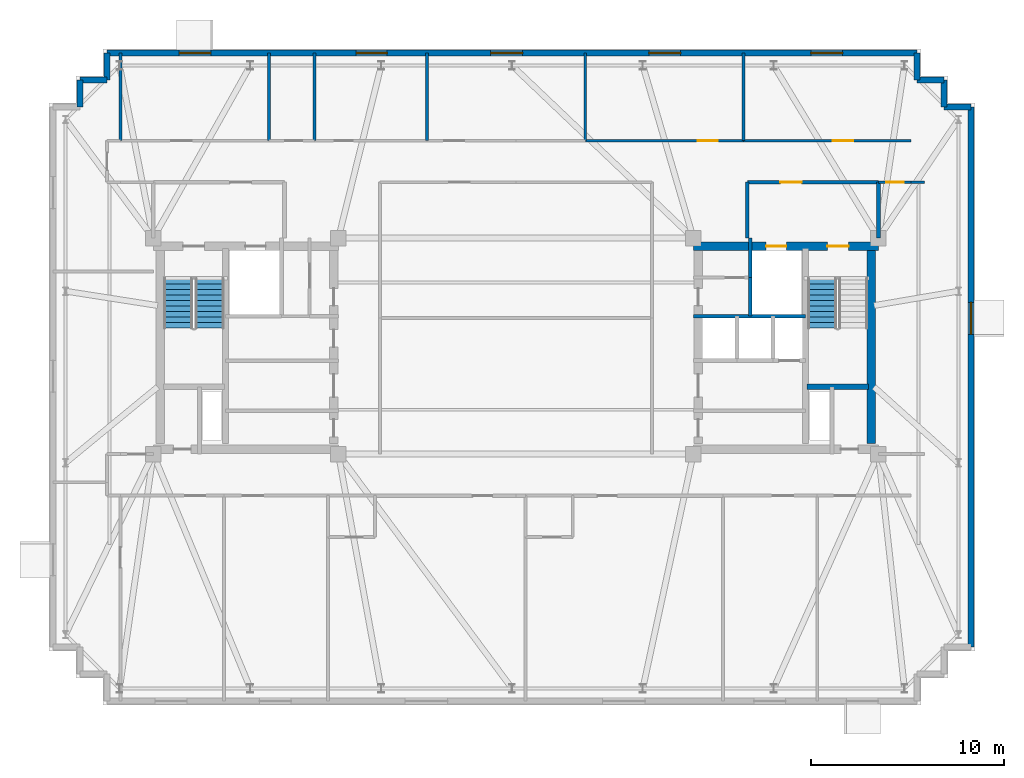
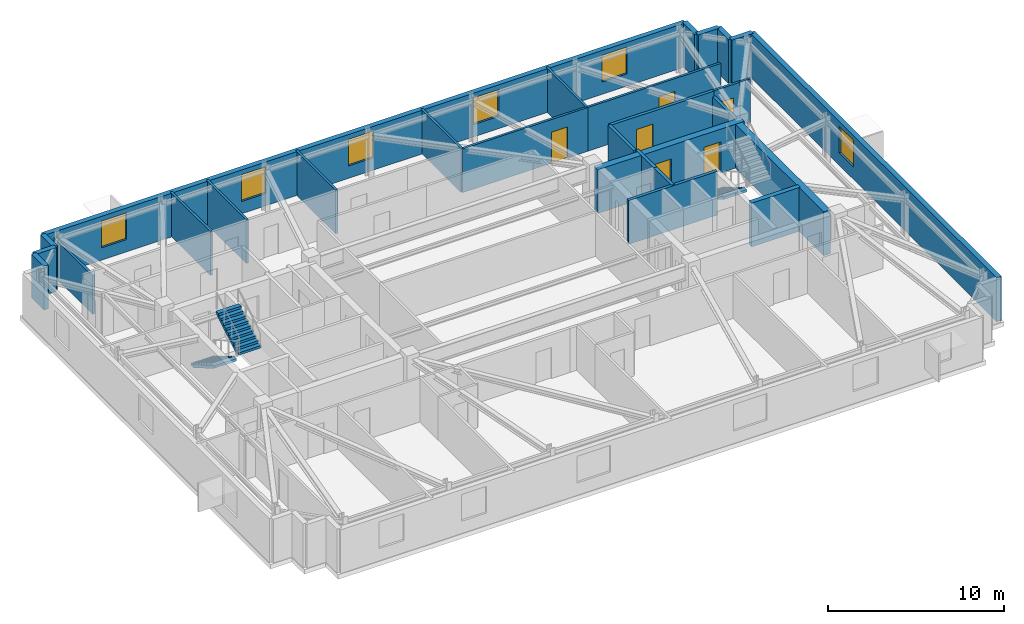
# One storey, part 8 of 11: 28 walls, 6 doors, 6 windows, 3 stair flights, 12 openings, 2 elements without a shape of their own.
"""IFC4 building model written with IfcOpenShell, lengths in metres."""

from ifc_helpers import new_model, si_unit, direction, frame, frame_2d, origin, place, context, subcontext, project, spatial, polyline, rectangle, outline, extrude, material, layer, layer_set, type_object, element, fill, aggregate, save


model = new_model("IFC4")

# Units and contexts
model_context = context("Model", 3, precision=1e-05, world=origin(), true_north=direction((0.0, 1.0)))
body_context = subcontext(model_context, "Body", "Model", "MODEL_VIEW")
ifc_project = project(units=[si_unit("LENGTHUNIT", "METRE"), si_unit("AREAUNIT", "SQUARE_METRE"), si_unit("VOLUMEUNIT", "CUBIC_METRE"), si_unit("PLANEANGLEUNIT", "RADIAN"), si_unit("MASSUNIT", "GRAM", prefix="KILO")], contexts=[model_context])

# Site, building, storey
site_placement = place(None, origin())
site = spatial("IfcSite", under=ifc_project, at=site_placement, CompositionType="ELEMENT")
building_placement = place(site_placement, origin())
building = spatial("IfcBuilding", under=site, at=building_placement, Name="Qobustan Lattice House", CompositionType="ELEMENT")
storey_placement = place(building_placement, frame((0.0, 0.0, 258.449951171875)))
storey = spatial("IfcBuildingStorey", under=building, at=storey_placement, Name="L73", CompositionType="ELEMENT", Elevation=258.449951171875)

# Wall, openings, doors
ifc_material_1 = material(Name="Concrete C50/60", Category="concrete")
ifc_layer_1 = layer(ifc_material_1, 0.43994140625)
ifc_layer_set_1 = layer_set([ifc_layer_1], Name="Concrete C50/60")
wall_type_1 = type_object("IfcWallType", Name="WAL-CORE-440", PredefinedType="SHEAR", material=ifc_layer_set_1)
wall_1_placement = place(storey_placement, frame((9.199951171875, 5.179931640625, 0.0), z_axis=(0.0, 0.0, 1.0), x_axis=(1.0, 0.0, 0.0)))
wall_1 = element("IfcWall", 1, at=wall_1_placement, inside=storey, type_object=wall_type_1, Name="L73 split-core shear wall CE-N", PredefinedType="SHEAR", context=body_context, shape_type="SweptSolid", body=[
    extrude(rectangle(XDim=9.60009765625, YDim=0.43994140625, at=frame_2d((4.800048828125, 0.0))), origin(), (0.0, 0.0, 1.0), 3.030029296875),
])
opening_1_placement = place(wall_1_placement, frame((6.949951171875, 0.0, 0.0)))
opening_1 = element("IfcOpeningElement", 2, at=opening_1_placement, cuts=wall_1, Name="Opening SD-01", PredefinedType="OPENING", context=body_context, shape_type="SweptSolid", body=[
    extrude(rectangle(XDim=1.10009765625, YDim=2.14990234375, at=frame_2d((0.550048828125, 1.074951171875))), frame((0.0, 0.22998046875, 0.0), z_axis=(0.0, -1.0, 0.0), x_axis=(1.0, 0.0, 0.0)), (0.0, 0.0, 1.0), 0.4599609375),
])
opening_2_placement = place(wall_1_placement, frame((3.77490234375, 0.0, 0.0)))
opening_2 = element("IfcOpeningElement", 3, at=opening_2_placement, cuts=wall_1, Name="Opening LD-01", PredefinedType="OPENING", context=body_context, shape_type="SweptSolid", body=[
    extrude(rectangle(XDim=1.050048828125, YDim=2.10009765625, at=frame_2d((0.52490234375, 1.050048828125))), frame((0.0, 0.22998046875, 0.0), z_axis=(0.0, -1.0, 0.0), x_axis=(1.0, 0.0, 0.0)), (0.0, 0.0, 1.0), 0.4599609375),
])
ifc_material_2 = material(Name="Persian walnut timber and steel frame door", Category="steel")
door_type_1 = type_object("IfcDoorType", Name="DOR-LIFT-LD-1050x2100", OperationType="NOTDEFINED", PredefinedType="DOOR", material=ifc_material_2)
door_1_placement = place(opening_2_placement, origin())
door_1 = element("IfcDoor", 4, at=door_1_placement, inside=storey, type_object=door_type_1, Name="L73 firefighting lift FF-E landing door", OperationType="DOUBLE_DOOR_SLIDING", OverallHeight=2.10009765625, OverallWidth=1.050048828125, PredefinedType="DOOR", context=body_context, shape_type="SweptSolid", body=[
    extrude(rectangle(XDim=1.050048828125, YDim=2.10009765625, at=frame_2d((0.52490234375, 1.050048828125))), frame((0.0, 0.02490234375, 0.0), z_axis=(0.0, -1.0, 0.0), x_axis=(1.0, 0.0, 0.0)), (0.0, 0.0, 1.0), 0.050048828125),
])
fill(opening_2, door_1)
ifc_material_3 = material(Name="Persian walnut timber and steel frame door", Category="steel")
door_type_2 = type_object("IfcDoorType", Name="DOR-STAIR-FD-1100x2150", OperationType="NOTDEFINED", PredefinedType="DOOR", material=ifc_material_3)
door_2_placement = place(opening_1_placement, origin())
door_2 = element("IfcDoor", 5, at=door_2_placement, inside=storey, type_object=door_type_2, Name="L73 exit stair ST-E1 fire door", OperationType="SINGLE_SWING_RIGHT", OverallHeight=2.14990234375, OverallWidth=1.10009765625, PredefinedType="DOOR", context=body_context, shape_type="SweptSolid", body=[
    extrude(rectangle(XDim=1.10009765625, YDim=2.14990234375, at=frame_2d((0.550048828125, 1.074951171875))), frame((0.0, 0.02490234375, 0.0), z_axis=(0.0, -1.0, 0.0), x_axis=(1.0, 0.0, 0.0)), (0.0, 0.0, 1.0), 0.050048828125),
])
fill(opening_1, door_2)

# Walls
wall_2_placement = place(storey_placement, frame((18.429931640625, -5.050048828125, 0.0), z_axis=(0.0, 0.0, 1.0), x_axis=(0.0, 1.0, 0.0)))
element("IfcWall", 6, at=wall_2_placement, inside=storey, type_object=wall_type_1, Name="L73 split-core shear wall CE-E", PredefinedType="SHEAR", context=body_context, shape_type="SweptSolid", body=[
    extrude(rectangle(XDim=10.10009765625, YDim=0.43994140625, at=frame_2d((5.050048828125, 0.0))), origin(), (0.0, 0.0, 1.0), 3.030029296875),
])
ifc_material_4 = material(Name="Concrete C50/60", Category="concrete")
ifc_layer_2 = layer(ifc_material_4, 0.280029296875)
ifc_layer_set_2 = layer_set([ifc_layer_2], Name="Concrete C50/60")
wall_type_2 = type_object("IfcWallType", Name="WAL-CORE-SPINE-280", PredefinedType="SHEAR", material=ifc_layer_set_2)
wall_3_placement = place(storey_placement, frame((15.10009765625, -2.110107421875, 0.0), z_axis=(0.0, 0.0, 1.0), x_axis=(1.0, 0.0, 0.0)))
element("IfcWall", 7, at=wall_3_placement, inside=storey, type_object=wall_type_2, Name="L73 split-core shear wall CE-ST", PredefinedType="SHEAR", context=body_context, shape_type="SweptSolid", body=[
    extrude(rectangle(XDim=3.179931640625, YDim=0.300048828125, at=frame_2d((1.58984375, 0.0))), origin(), (0.0, 0.0, 1.0), 3.030029296875),
])
ifc_material_5 = material(Name="Precast concrete C40/50", Category="concrete")
ifc_layer_3 = layer(ifc_material_5, 0.320068359375)
ifc_layer_set_3 = layer_set([ifc_layer_3], Name="Precast concrete C40/50")
wall_type_3 = type_object("IfcWallType", Name="WAL-EXT-STONE-320", PredefinedType="SOLIDWALL", material=ifc_layer_set_3)
for number, where, z_axis, x_axis, name in (
    (8, (-22.60009765625, 12.39990234375, 0.0), (0.0, 0.0, 1.0), (0.0, 1.0, 0.0), "L73 exterior limestone-clad wall 7"),
    (9, (-22.60009765625, 13.800048828125, 0.0), (0.0, 0.0, 1.0), (1.0, 0.0, 0.0), "L73 exterior limestone-clad wall 8"),
):
    element("IfcWall", number, at=place(storey_placement, frame(where, z_axis=z_axis, x_axis=x_axis)), inside=storey, type_object=wall_type_3, Name=name, PredefinedType="SOLIDWALL", context=body_context, shape_type="SweptSolid", body=[
        extrude(rectangle(XDim=1.400146484375, YDim=0.320068359375, at=frame_2d((0.7001953125, 0.0))), origin(), (0.0, 0.0, 1.0), 3.030029296875),
    ])
wall_4_placement = place(storey_placement, frame((-21.199951171875, 13.800048828125, 0.0), z_axis=(0.0, 0.0, 1.0), x_axis=(0.0, 1.0, 0.0)))
element("IfcWall", 10, at=wall_4_placement, inside=storey, type_object=wall_type_3, Name="L73 exterior limestone-clad wall 9", PredefinedType="SOLIDWALL", context=body_context, shape_type="SweptSolid", body=[
    extrude(rectangle(XDim=1.39990234375, YDim=0.320068359375, at=frame_2d((0.699951171875, 0.0))), origin(), (0.0, 0.0, 1.0), 3.030029296875),
])

# Wall, openings, windows
wall_5_placement = place(storey_placement, frame((-21.199951171875, 15.199951171875, 0.0), z_axis=(0.0, 0.0, 1.0), x_axis=(1.0, 0.0, 0.0)))
wall_5 = element("IfcWall", 11, at=wall_5_placement, inside=storey, type_object=wall_type_3, Name="L73 exterior limestone-clad wall 10", PredefinedType="SOLIDWALL", context=body_context, shape_type="SweptSolid", body=[
    extrude(rectangle(XDim=42.0, YDim=0.320068359375, at=frame_2d((21.0, 0.0))), origin(), (0.0, 0.0, 1.0), 3.030029296875),
])
opening_3_placement = place(wall_5_placement, frame((3.735107421875, 0.0, 0.85009765625)))
opening_3 = element("IfcOpeningElement", 12, at=opening_3_placement, cuts=wall_5, Name="Opening WN-09", PredefinedType="OPENING", context=body_context, shape_type="SweptSolid", body=[
    extrude(rectangle(XDim=1.64990234375, YDim=1.85009765625, at=frame_2d((0.824951171875, 0.925048828125))), frame((0.0, 0.169921875, 0.0), z_axis=(0.0, -1.0, 0.0), x_axis=(1.0, 0.0, 0.0)), (0.0, 0.0, 1.0), 0.340087890625),
])
opening_4_placement = place(wall_5_placement, frame((12.919921875, 0.0, 0.85009765625)))
opening_4 = element("IfcOpeningElement", 13, at=opening_4_placement, cuts=wall_5, Name="Opening WN-13", PredefinedType="OPENING", context=body_context, shape_type="SweptSolid", body=[
    extrude(rectangle(XDim=1.60009765625, YDim=1.85009765625, at=frame_2d((0.800048828125, 0.925048828125))), frame((0.0, 0.169921875, 0.0), z_axis=(0.0, -1.0, 0.0), x_axis=(1.0, 0.0, 0.0)), (0.0, 0.0, 1.0), 0.340087890625),
])
opening_5_placement = place(wall_5_placement, frame((19.89501953125, 0.0, 0.85009765625)))
opening_5 = element("IfcOpeningElement", 14, at=opening_5_placement, cuts=wall_5, Name="Opening WN-09", PredefinedType="OPENING", context=body_context, shape_type="SweptSolid", body=[
    extrude(rectangle(XDim=1.64990234375, YDim=1.85009765625, at=frame_2d((0.824951171875, 0.925048828125))), frame((0.0, 0.169921875, 0.0), z_axis=(0.0, -1.0, 0.0), x_axis=(1.0, 0.0, 0.0)), (0.0, 0.0, 1.0), 0.340087890625),
])
opening_6_placement = place(wall_5_placement, frame((28.094970703125, 0.0, 0.85009765625)))
opening_6 = element("IfcOpeningElement", 15, at=opening_6_placement, cuts=wall_5, Name="Opening WN-09", PredefinedType="OPENING", context=body_context, shape_type="SweptSolid", body=[
    extrude(rectangle(XDim=1.64990234375, YDim=1.85009765625, at=frame_2d((0.824951171875, 0.925048828125))), frame((0.0, 0.169921875, 0.0), z_axis=(0.0, -1.0, 0.0), x_axis=(1.0, 0.0, 0.0)), (0.0, 0.0, 1.0), 0.340087890625),
])
opening_7_placement = place(wall_5_placement, frame((36.4951171875, 0.0, 0.85009765625)))
opening_7 = element("IfcOpeningElement", 16, at=opening_7_placement, cuts=wall_5, Name="Opening WN-09", PredefinedType="OPENING", context=body_context, shape_type="SweptSolid", body=[
    extrude(rectangle(XDim=1.64990234375, YDim=1.85009765625, at=frame_2d((0.824951171875, 0.925048828125))), frame((0.0, 0.169921875, 0.0), z_axis=(0.0, -1.0, 0.0), x_axis=(1.0, 0.0, 0.0)), (0.0, 0.0, 1.0), 0.340087890625),
])
ifc_material_6 = material(Name="Double-glazed low-E aluminium window", Category="aluminium")
window_type_1 = type_object("IfcWindowType", Name="WIN-BED-1600x1850", PartitioningType="SINGLE_PANEL", PredefinedType="WINDOW", material=ifc_material_6)
window_1_placement = place(opening_4_placement, origin())
window_1 = element("IfcWindow", 17, at=window_1_placement, inside=storey, type_object=window_type_1, Name="L73 Laundry utility room window", OverallHeight=1.85009765625, OverallWidth=1.60009765625, PartitioningType="SINGLE_PANEL", PredefinedType="WINDOW", context=body_context, shape_type="SweptSolid", body=[
    extrude(rectangle(XDim=1.60009765625, YDim=1.85009765625, at=frame_2d((0.800048828125, 0.925048828125))), frame((0.0, 0.030029296875, 0.0), z_axis=(0.0, -1.0, 0.0), x_axis=(1.0, 0.0, 0.0)), (0.0, 0.0, 1.0), 0.06005859375),
])
fill(opening_4, window_1)
ifc_material_7 = material(Name="Double-glazed low-E aluminium window", Category="aluminium")
window_type_2 = type_object("IfcWindowType", Name="WIN-STU-1650x1850", PartitioningType="SINGLE_PANEL", PredefinedType="WINDOW", material=ifc_material_7)
window_2_placement = place(opening_3_placement, origin())
window_2 = element("IfcWindow", 18, at=window_2_placement, inside=storey, type_object=window_type_2, Name="L73 Focus study room N1 window", OverallHeight=1.85009765625, OverallWidth=1.64990234375, PartitioningType="SINGLE_PANEL", PredefinedType="WINDOW", context=body_context, shape_type="SweptSolid", body=[
    extrude(rectangle(XDim=1.64990234375, YDim=1.85009765625, at=frame_2d((0.824951171875, 0.925048828125))), frame((0.0, 0.030029296875, 0.0), z_axis=(0.0, -1.0, 0.0), x_axis=(1.0, 0.0, 0.0)), (0.0, 0.0, 1.0), 0.06005859375),
])
fill(opening_3, window_2)
window_3_placement = place(opening_5_placement, origin())
window_3 = element("IfcWindow", 19, at=window_3_placement, inside=storey, type_object=window_type_2, Name="L73 Focus study room N3 window", OverallHeight=1.85009765625, OverallWidth=1.64990234375, PartitioningType="SINGLE_PANEL", PredefinedType="WINDOW", context=body_context, shape_type="SweptSolid", body=[
    extrude(rectangle(XDim=1.64990234375, YDim=1.85009765625, at=frame_2d((0.824951171875, 0.925048828125))), frame((0.0, 0.030029296875, 0.0), z_axis=(0.0, -1.0, 0.0), x_axis=(1.0, 0.0, 0.0)), (0.0, 0.0, 1.0), 0.06005859375),
])
fill(opening_5, window_3)
window_4_placement = place(opening_6_placement, origin())
window_4 = element("IfcWindow", 20, at=window_4_placement, inside=storey, type_object=window_type_2, Name="L73 Focus study room N4 window", OverallHeight=1.85009765625, OverallWidth=1.64990234375, PartitioningType="SINGLE_PANEL", PredefinedType="WINDOW", context=body_context, shape_type="SweptSolid", body=[
    extrude(rectangle(XDim=1.64990234375, YDim=1.85009765625, at=frame_2d((0.824951171875, 0.925048828125))), frame((0.0, 0.030029296875, 0.0), z_axis=(0.0, -1.0, 0.0), x_axis=(1.0, 0.0, 0.0)), (0.0, 0.0, 1.0), 0.06005859375),
])
fill(opening_6, window_4)
window_5_placement = place(opening_7_placement, origin())
window_5 = element("IfcWindow", 21, at=window_5_placement, inside=storey, type_object=window_type_2, Name="L73 Focus study room N5 window", OverallHeight=1.85009765625, OverallWidth=1.64990234375, PartitioningType="SINGLE_PANEL", PredefinedType="WINDOW", context=body_context, shape_type="SweptSolid", body=[
    extrude(rectangle(XDim=1.64990234375, YDim=1.85009765625, at=frame_2d((0.824951171875, 0.925048828125))), frame((0.0, 0.030029296875, 0.0), z_axis=(0.0, -1.0, 0.0), x_axis=(1.0, 0.0, 0.0)), (0.0, 0.0, 1.0), 0.06005859375),
])
fill(opening_7, window_5)

# Walls
for number, where, z_axis, x_axis, name in (
    (22, (20.800048828125, 15.199951171875, 0.0), (0.0, 0.0, 1.0), (0.0, -1.0, 0.0), "L73 exterior limestone-clad wall 11"),
    (23, (20.800048828125, 13.800048828125, 0.0), (0.0, 0.0, 1.0), (1.0, 0.0, 0.0), "L73 exterior limestone-clad wall 12"),
):
    element("IfcWall", number, at=place(storey_placement, frame(where, z_axis=z_axis, x_axis=x_axis)), inside=storey, type_object=wall_type_3, Name=name, PredefinedType="SOLIDWALL", context=body_context, shape_type="SweptSolid", body=[
        extrude(rectangle(XDim=1.39990234375, YDim=0.320068359375, at=frame_2d((0.699951171875, 0.0))), origin(), (0.0, 0.0, 1.0), 3.030029296875),
    ])
for number, where, z_axis, x_axis, name in (
    (24, (22.199951171875, 13.800048828125, 0.0), (0.0, 0.0, 1.0), (0.0, -1.0, 0.0), "L73 exterior limestone-clad wall 13"),
    (25, (22.199951171875, 12.39990234375, 0.0), (0.0, 0.0, 1.0), (1.0, 0.0, 0.0), "L73 exterior limestone-clad wall 14"),
):
    element("IfcWall", number, at=place(storey_placement, frame(where, z_axis=z_axis, x_axis=x_axis)), inside=storey, type_object=wall_type_3, Name=name, PredefinedType="SOLIDWALL", context=body_context, shape_type="SweptSolid", body=[
        extrude(rectangle(XDim=1.400146484375, YDim=0.320068359375, at=frame_2d((0.7001953125, 0.0))), origin(), (0.0, 0.0, 1.0), 3.030029296875),
    ])

# Wall, opening, window
wall_6_placement = place(storey_placement, frame((23.60009765625, 12.39990234375, 0.0), z_axis=(0.0, 0.0, 1.0), x_axis=(0.0, -1.0, 0.0)))
wall_6 = element("IfcWall", 26, at=wall_6_placement, inside=storey, type_object=wall_type_3, Name="L73 exterior limestone-clad wall 15", PredefinedType="SOLIDWALL", context=body_context, shape_type="SweptSolid", body=[
    extrude(rectangle(XDim=28.0, YDim=0.320068359375, at=frame_2d((14.0, 0.0))), origin(), (0.0, 0.0, 1.0), 3.030029296875),
])
opening_8_placement = place(wall_6_placement, frame((10.135009765625, 0.0, 0.85009765625)))
opening_8 = element("IfcOpeningElement", 27, at=opening_8_placement, cuts=wall_6, Name="Opening WN-09", PredefinedType="OPENING", context=body_context, shape_type="SweptSolid", body=[
    extrude(rectangle(XDim=1.64990234375, YDim=1.85009765625, at=frame_2d((0.824951171875, 0.925048828125))), frame((0.0, 0.169921875, 0.0), z_axis=(0.0, -1.0, 0.0), x_axis=(1.0, 0.0, 0.0)), (0.0, 0.0, 1.0), 0.340087890625),
])
window_6_placement = place(opening_8_placement, origin())
window_6 = element("IfcWindow", 28, at=window_6_placement, inside=storey, type_object=window_type_2, Name="L73 Communal study lounge window", OverallHeight=1.85009765625, OverallWidth=1.64990234375, PartitioningType="SINGLE_PANEL", PredefinedType="WINDOW", context=body_context, shape_type="SweptSolid", body=[
    extrude(rectangle(XDim=1.64990234375, YDim=1.85009765625, at=frame_2d((0.824951171875, 0.925048828125))), frame((0.0, 0.030029296875, 0.0), z_axis=(0.0, -1.0, 0.0), x_axis=(1.0, 0.0, 0.0)), (0.0, 0.0, 1.0), 0.06005859375),
])
fill(opening_8, window_6)

# Wall, opening, door
ifc_material_8 = material(Name="Acoustic twin-stud gypsum partition", Category="gypsum")
ifc_layer_4 = layer(ifc_material_8, 0.14990234375)
ifc_layer_set_4 = layer_set([ifc_layer_4], Name="Acoustic twin-stud gypsum partition")
wall_type_4 = type_object("IfcWallType", Name="WAL-PART-150", PredefinedType="PARTITIONING", material=ifc_layer_set_4)
wall_7_placement = place(storey_placement, frame((20.5, 8.5, 0.0), z_axis=(0.0, 0.0, 1.0), x_axis=(-1.0, 0.0, 0.0)))
wall_7 = element("IfcWall", 29, at=wall_7_placement, inside=storey, type_object=wall_type_4, Name="L73 interior partition 40", PredefinedType="PARTITIONING", context=body_context, shape_type="SweptSolid", body=[
    extrude(rectangle(XDim=1.699951171875, YDim=0.14990234375, at=frame_2d((0.85009765625, 0.0))), origin(), (0.0, 0.0, 1.0), 3.030029296875),
])
opening_9_placement = place(wall_7_placement, frame((0.39990234375, 0.0, 0.0)))
opening_9 = element("IfcOpeningElement", 30, at=opening_9_placement, cuts=wall_7, Name="Opening WD-01", PredefinedType="OPENING", context=body_context, shape_type="SweptSolid", body=[
    extrude(rectangle(XDim=0.89990234375, YDim=2.10009765625, at=frame_2d((0.449951171875, 1.050048828125))), frame((0.0, 0.0849609375, 0.0), z_axis=(0.0, -1.0, 0.0), x_axis=(1.0, 0.0, 0.0)), (0.0, 0.0, 1.0), 0.169921875),
])
ifc_material_9 = material(Name="Persian walnut timber and steel frame door", Category="steel")
door_type_3 = type_object("IfcDoorType", Name="DOR-WET-900x2100", OperationType="NOTDEFINED", PredefinedType="DOOR", material=ifc_material_9)
door_3_placement = place(opening_9_placement, origin())
door_3 = element("IfcDoor", 31, at=door_3_placement, inside=storey, type_object=door_type_3, Name="L73 North-east floor corridor to Communal study lounge door", OperationType="SINGLE_SWING_RIGHT", OverallHeight=2.10009765625, OverallWidth=0.89990234375, PredefinedType="DOOR", context=body_context, shape_type="SweptSolid", body=[
    extrude(rectangle(XDim=0.89990234375, YDim=2.10009765625, at=frame_2d((0.449951171875, 1.050048828125))), frame((0.0, 0.02490234375, 0.0), z_axis=(0.0, -1.0, 0.0), x_axis=(1.0, 0.0, 0.0)), (0.0, 0.0, 1.0), 0.050048828125),
])
fill(opening_9, door_3)

# Wall
wall_8_placement = place(storey_placement, frame((21.199951171875, 8.5, 0.0), z_axis=(0.0, 0.0, 1.0), x_axis=(-1.0, 0.0, 0.0)))
element("IfcWall", 32, at=wall_8_placement, inside=storey, type_object=wall_type_4, Name="L73 interior partition 41", PredefinedType="PARTITIONING", context=body_context, shape_type="SweptSolid", body=[
    extrude(rectangle(XDim=0.699951171875, YDim=0.14990234375, at=frame_2d((0.35009765625, 0.0))), origin(), (0.0, 0.0, 1.0), 3.030029296875),
])

# Wall, opening, door
wall_9_placement = place(storey_placement, frame((3.60009765625, 10.64990234375, 0.0), z_axis=(0.0, 0.0, 1.0), x_axis=(1.0, 0.0, 0.0)))
wall_9 = element("IfcWall", 33, at=wall_9_placement, inside=storey, type_object=wall_type_4, Name="L73 interior partition 43", PredefinedType="PARTITIONING", context=body_context, shape_type="SweptSolid", body=[
    extrude(rectangle(XDim=8.199951171875, YDim=0.14990234375, at=frame_2d((4.10009765625, 0.0))), origin(), (0.0, 0.0, 1.0), 3.030029296875),
])
opening_10_placement = place(wall_9_placement, frame((5.8212890625, 0.0, 0.0)))
opening_10 = element("IfcOpeningElement", 34, at=opening_10_placement, cuts=wall_9, Name="Opening ID-02", PredefinedType="OPENING", context=body_context, shape_type="SweptSolid", body=[
    extrude(rectangle(XDim=1.050048828125, YDim=2.14990234375, at=frame_2d((0.52490234375, 1.074951171875))), frame((0.0, 0.0849609375, 0.0), z_axis=(0.0, -1.0, 0.0), x_axis=(1.0, 0.0, 0.0)), (0.0, 0.0, 1.0), 0.169921875),
])
ifc_material_10 = material(Name="Persian walnut timber and steel frame door", Category="steel")
door_type_4 = type_object("IfcDoorType", Name="DOR-STUDY-1050x2150", OperationType="NOTDEFINED", PredefinedType="DOOR", material=ifc_material_10)
door_4_placement = place(opening_10_placement, origin())
door_4 = element("IfcDoor", 35, at=door_4_placement, inside=storey, type_object=door_type_4, Name="L73 North-east floor corridor to Focus study room N4 door", OperationType="SINGLE_SWING_LEFT", OverallHeight=2.14990234375, OverallWidth=1.050048828125, PredefinedType="DOOR", context=body_context, shape_type="SweptSolid", body=[
    extrude(rectangle(XDim=1.050048828125, YDim=2.14990234375, at=frame_2d((0.52490234375, 1.074951171875))), frame((0.0, 0.02490234375, 0.0), z_axis=(0.0, -1.0, 0.0), x_axis=(1.0, 0.0, 0.0)), (0.0, 0.0, 1.0), 0.050048828125),
])
fill(opening_10, door_4)

wall_10_placement = place(storey_placement, frame((11.800048828125, 10.64990234375, 0.0), z_axis=(0.0, 0.0, 1.0), x_axis=(1.0, 0.0, 0.0)))
wall_10 = element("IfcWall", 36, at=wall_10_placement, inside=storey, type_object=wall_type_4, Name="L73 interior partition 44", PredefinedType="PARTITIONING", context=body_context, shape_type="SweptSolid", body=[
    extrude(rectangle(XDim=8.699951171875, YDim=0.14990234375, at=frame_2d((4.35009765625, 0.0))), origin(), (0.0, 0.0, 1.0), 3.030029296875),
])
opening_11_placement = place(wall_10_placement, frame((4.63623046875, 0.0, 0.0)))
opening_11 = element("IfcOpeningElement", 37, at=opening_11_placement, cuts=wall_10, Name="Opening ID-02", PredefinedType="OPENING", context=body_context, shape_type="SweptSolid", body=[
    extrude(rectangle(XDim=1.050048828125, YDim=2.14990234375, at=frame_2d((0.52490234375, 1.074951171875))), frame((0.0, 0.0849609375, 0.0), z_axis=(0.0, -1.0, 0.0), x_axis=(1.0, 0.0, 0.0)), (0.0, 0.0, 1.0), 0.169921875),
])
door_5_placement = place(opening_11_placement, origin())
door_5 = element("IfcDoor", 38, at=door_5_placement, inside=storey, type_object=door_type_4, Name="L73 North-east floor corridor to Focus study room N5 door", OperationType="SINGLE_SWING_RIGHT", OverallHeight=2.14990234375, OverallWidth=1.050048828125, PredefinedType="DOOR", context=body_context, shape_type="SweptSolid", body=[
    extrude(rectangle(XDim=1.050048828125, YDim=2.14990234375, at=frame_2d((0.52490234375, 1.074951171875))), frame((0.0, 0.02490234375, 0.0), z_axis=(0.0, -1.0, 0.0), x_axis=(1.0, 0.0, 0.0)), (0.0, 0.0, 1.0), 0.050048828125),
])
fill(opening_11, door_5)

# Walls
wall_11_placement = place(storey_placement, frame((-20.5, 15.199951171875, 0.0), z_axis=(0.0, 0.0, 1.0), x_axis=(0.0, -1.0, 0.0)))
element("IfcWall", 39, at=wall_11_placement, inside=storey, type_object=wall_type_4, Name="L73 interior partition 69", PredefinedType="PARTITIONING", context=body_context, shape_type="SweptSolid", body=[
    extrude(rectangle(XDim=4.550048828125, YDim=0.14990234375, at=frame_2d((2.27490234375, 0.0))), origin(), (0.0, 0.0, 1.0), 2.655029296875),
])
for number, where, z_axis, x_axis, name in (
    (40, (-4.60009765625, 15.199951171875, 0.0), (0.0, 0.0, 1.0), (0.0, -1.0, 0.0), "L73 interior partition 72"),
    (41, (3.60009765625, 15.199951171875, 0.0), (0.0, 0.0, 1.0), (0.0, -1.0, 0.0), "L73 interior partition 73"),
    (42, (11.800048828125, 15.199951171875, 0.0), (0.0, 0.0, 1.0), (0.0, -1.0, 0.0), "L73 interior partition 74"),
):
    element("IfcWall", number, at=place(storey_placement, frame(where, z_axis=z_axis, x_axis=x_axis)), inside=storey, type_object=wall_type_4, Name=name, PredefinedType="PARTITIONING", context=body_context, shape_type="SweptSolid", body=[
        extrude(rectangle(XDim=4.550048828125, YDim=0.14990234375, at=frame_2d((2.27490234375, 0.0))), origin(), (0.0, 0.0, 1.0), 3.030029296875),
    ])

# Wall, opening, door
ifc_material_11 = material(Name="Two-hour gypsum fireboard acoustic partition", Category="gypsum")
ifc_layer_5 = layer(ifc_material_11, 0.199951171875)
ifc_layer_set_5 = layer_set([ifc_layer_5], Name="Two-hour gypsum fireboard acoustic partition")
wall_type_5 = type_object("IfcWallType", Name="WAL-PROT-200", PredefinedType="PARTITIONING", material=ifc_layer_set_5)
wall_12_placement = place(storey_placement, frame((18.800048828125, 8.5, 0.0), z_axis=(0.0, 0.0, 1.0), x_axis=(-1.0, 0.0, 0.0)))
wall_12 = element("IfcWall", 43, at=wall_12_placement, inside=storey, type_object=wall_type_5, Name="L73 interior partition 18", PredefinedType="PARTITIONING", context=body_context, shape_type="SweptSolid", body=[
    extrude(rectangle(XDim=6.800048828125, YDim=0.199951171875, at=frame_2d((3.39990234375, 0.0))), origin(), (0.0, 0.0, 1.0), 3.030029296875),
])
opening_12_placement = place(wall_12_placement, frame((3.985107421875, 0.0, 0.0)))
opening_12 = element("IfcOpeningElement", 44, at=opening_12_placement, cuts=wall_12, Name="Opening SD-01", PredefinedType="OPENING", context=body_context, shape_type="SweptSolid", body=[
    extrude(rectangle(XDim=1.10009765625, YDim=2.14990234375, at=frame_2d((0.550048828125, 1.074951171875))), frame((0.0, 0.10986328125, 0.0), z_axis=(0.0, -1.0, 0.0), x_axis=(1.0, 0.0, 0.0)), (0.0, 0.0, 1.0), 0.219970703125),
])
door_6_placement = place(opening_12_placement, origin())
door_6 = element("IfcDoor", 45, at=door_6_placement, inside=storey, type_object=door_type_2, Name="L73 East firefighting lift lobby to North-east floor corridor door", OperationType="SINGLE_SWING_LEFT", OverallHeight=2.14990234375, OverallWidth=1.10009765625, PredefinedType="DOOR", context=body_context, shape_type="SweptSolid", body=[
    extrude(rectangle(XDim=1.10009765625, YDim=2.14990234375, at=frame_2d((0.550048828125, 1.074951171875))), frame((0.0, 0.02490234375, 0.0), z_axis=(0.0, -1.0, 0.0), x_axis=(1.0, 0.0, 0.0)), (0.0, 0.0, 1.0), 0.050048828125),
])
fill(opening_12, door_6)

# Walls
wall_13_placement = place(storey_placement, frame((12.0, 8.5, 0.0), z_axis=(0.0, 0.0, 1.0), x_axis=(0.0, -1.0, 0.0)))
element("IfcWall", 46, at=wall_13_placement, inside=storey, type_object=wall_type_5, Name="L73 interior partition 19", PredefinedType="PARTITIONING", context=body_context, shape_type="SweptSolid", body=[
    extrude(rectangle(XDim=2.89990234375, YDim=0.199951171875, at=frame_2d((1.449951171875, 0.0))), origin(), (0.0, 0.0, 1.0), 3.030029296875),
])
wall_14_placement = place(storey_placement, frame((18.800048828125, 5.60009765625, 0.0), z_axis=(0.0, 0.0, 1.0), x_axis=(0.0, 1.0, 0.0)))
element("IfcWall", 47, at=wall_14_placement, inside=storey, type_object=wall_type_5, Name="L73 interior partition 20", PredefinedType="PARTITIONING", context=body_context, shape_type="SweptSolid", body=[
    extrude(rectangle(XDim=2.89990234375, YDim=0.199951171875, at=frame_2d((1.449951171875, 0.0))), origin(), (0.0, 0.0, 1.0), 2.655029296875),
])
ifc_material_12 = material(Name="Concrete C40/50", Category="concrete")
ifc_layer_6 = layer(ifc_material_12, 0.199951171875)
ifc_layer_set_6 = layer_set([ifc_layer_6], Name="Concrete C40/50")
wall_type_6 = type_object("IfcWallType", Name="WAL-SHAFT-200", PredefinedType="PARTITIONING", material=ifc_layer_set_6)
wall_15_placement = place(storey_placement, frame((12.14990234375, 3.550048828125, 0.0), z_axis=(0.0, 0.0, 1.0), x_axis=(0.0, -1.0, 0.0)))
element("IfcWall", 48, at=wall_15_placement, inside=storey, type_object=wall_type_6, Name="L73 interior partition 16", PredefinedType="PARTITIONING", context=body_context, shape_type="SweptSolid", body=[
    extrude(rectangle(XDim=2.0, YDim=0.199951171875, at=frame_2d((1.0, 0.0))), origin(), (0.0, 0.0, 1.0), 3.030029296875),
])
wall_16_placement = place(storey_placement, frame((12.14990234375, 5.60009765625, 0.0), z_axis=(0.0, 0.0, 1.0), x_axis=(0.0, -1.0, 0.0)))
element("IfcWall", 49, at=wall_16_placement, inside=storey, type_object=wall_type_6, Name="L73 interior partition 17", PredefinedType="PARTITIONING", context=body_context, shape_type="SweptSolid", body=[
    extrude(rectangle(XDim=2.050048828125, YDim=0.199951171875, at=frame_2d((1.02490234375, 0.0))), origin(), (0.0, 0.0, 1.0), 3.030029296875),
])
wall_17_placement = place(storey_placement, frame((9.199951171875, 1.550048828125, 0.0), z_axis=(0.0, 0.0, 1.0), x_axis=(1.0, 0.0, 0.0)))
element("IfcWall", 50, at=wall_17_placement, inside=storey, type_object=wall_type_6, Name="L73 interior partition 88", PredefinedType="PARTITIONING", context=body_context, shape_type="SweptSolid", body=[
    extrude(rectangle(XDim=5.820068359375, YDim=0.199951171875, at=frame_2d((2.91015625, 0.0))), origin(), (0.0, 0.0, 1.0), 3.030029296875),
])
ifc_material_13 = material(Name="Moisture-resistant acoustic plumbing wall", Category="gypsum")
ifc_layer_7 = layer(ifc_material_13, 0.14990234375)
ifc_layer_set_7 = layer_set([ifc_layer_7], Name="Moisture-resistant acoustic plumbing wall")
wall_type_7 = type_object("IfcWallType", Name="WAL-WET-150", PredefinedType="PLUMBINGWALL", material=ifc_layer_set_7)
for number, where, z_axis, x_axis, name in (
    (51, (-12.800048828125, 15.199951171875, 0.0), (0.0, 0.0, 1.0), (0.0, -1.0, 0.0), "L73 interior partition 70"),
    (52, (-10.449951171875, 15.199951171875, 0.0), (0.0, 0.0, 1.0), (0.0, -1.0, 0.0), "L73 interior partition 71"),
):
    element("IfcWall", number, at=place(storey_placement, frame(where, z_axis=z_axis, x_axis=x_axis)), inside=storey, type_object=wall_type_7, Name=name, PredefinedType="PLUMBINGWALL", context=body_context, shape_type="SweptSolid", body=[
        extrude(rectangle(XDim=4.550048828125, YDim=0.14990234375, at=frame_2d((2.27490234375, 0.0))), origin(), (0.0, 0.0, 1.0), 3.030029296875),
    ])

# Stair, stair flights
ifc_material_14 = material(Name="Concrete C40/50", Category="concrete")
stair_type = type_object("IfcStairType", Name="STR-CORE-DOGLEG", PredefinedType="HALF_TURN_STAIR", material=ifc_material_14)
stair_1_placement = place(storey_placement, origin())
stair_1 = element("IfcStair", 53, at=stair_1_placement, inside=storey, type_object=stair_type, Name="L73 West protected exit stair ST-W1", PredefinedType="HALF_TURN_STAIR")
ifc_material_15 = material(Name="Concrete C40/50", Category="concrete")
stair_flight_type = type_object("IfcStairFlightType", Name="SFL-RC-1500", PredefinedType="STRAIGHT", material=ifc_material_15)
stair_flight_1_placement = place(storey_placement, frame((-17.5, 3.5, 0.0), z_axis=(0.0, 0.0, 1.0), x_axis=(0.0, -1.0, 0.0)))
stair_flight_1 = element("IfcStairFlight", 54, at=stair_flight_1_placement, type_object=stair_flight_type, Name="ST-W1 flight 1", NumberOfRisers=10, NumberOfTreads=9, PredefinedType="STRAIGHT", RiserHeight=0.1675, TreadLength=0.285, context=body_context, shape_type="SweptSolid", body=[
    extrude(outline(polyline([(0.0, 0.0), (0.0, 0.16748046875), (0.284912109375, 0.16748046875), (0.284912109375, 0.3349609375), (0.570068359375, 0.3349609375), (0.570068359375, 0.50244140625), (0.85498046875, 0.50244140625), (0.85498046875, 0.669921875), (1.139892578125, 0.669921875), (1.139892578125, 0.83740234375), (1.425048828125, 0.83740234375), (1.425048828125, 1.0048828125), (1.7099609375, 1.0048828125), (1.7099609375, 1.172607421875), (1.9951171875, 1.172607421875), (1.9951171875, 1.340087890625), (2.280029296875, 1.340087890625), (2.280029296875, 1.507568359375), (2.56494140625, 1.507568359375), (2.56494140625, 1.675048828125), (2.56494140625, 1.333740234375), (0.2958984375, 0.0), (0.0, 0.0)])), frame((0.0, 0.75, 0.0), z_axis=(0.0, -1.0, 0.0), x_axis=(1.0, 0.0, 0.0)), (0.0, 0.0, 1.0), 1.5),
])
stair_flight_2_placement = place(storey_placement, frame((-15.8798828125, 0.93505859375, 1.675048828125), z_axis=(0.0, 0.0, 1.0), x_axis=(0.0, 1.0, 0.0)))
stair_flight_2 = element("IfcStairFlight", 55, at=stair_flight_2_placement, type_object=stair_flight_type, Name="ST-W1 flight 2", NumberOfRisers=10, NumberOfTreads=9, PredefinedType="STRAIGHT", RiserHeight=0.1675, TreadLength=0.285, context=body_context, shape_type="SweptSolid", body=[
    extrude(outline(polyline([(0.0, 0.0), (0.0, 0.16748046875), (0.284912109375, 0.16748046875), (0.284912109375, 0.3349609375), (0.570068359375, 0.3349609375), (0.570068359375, 0.50244140625), (0.85498046875, 0.50244140625), (0.85498046875, 0.669921875), (1.139892578125, 0.669921875), (1.139892578125, 0.83740234375), (1.425048828125, 0.83740234375), (1.425048828125, 1.0048828125), (1.7099609375, 1.0048828125), (1.7099609375, 1.172607421875), (1.9951171875, 1.172607421875), (1.9951171875, 1.340087890625), (2.280029296875, 1.340087890625), (2.280029296875, 1.507568359375), (2.56494140625, 1.507568359375), (2.56494140625, 1.675048828125), (2.56494140625, 1.333740234375), (0.2958984375, 0.0), (0.0, 0.0)])), frame((0.0, 0.75, 0.0), z_axis=(0.0, -1.0, 0.0), x_axis=(1.0, 0.0, 0.0)), (0.0, 0.0, 1.0), 1.5),
])
aggregate(stair_1, [stair_flight_1, stair_flight_2])

# Stair, stair flight
stair_2_placement = place(storey_placement, origin())
stair_2 = element("IfcStair", 56, at=stair_2_placement, inside=storey, type_object=stair_type, Name="L73 East protected exit stair ST-E1", PredefinedType="HALF_TURN_STAIR")
stair_flight_3_placement = place(storey_placement, frame((15.8798828125, 3.5, 0.0), z_axis=(0.0, 0.0, 1.0), x_axis=(0.0, -1.0, 0.0)))
stair_flight_3 = element("IfcStairFlight", 57, at=stair_flight_3_placement, type_object=stair_flight_type, Name="ST-E1 flight 1", NumberOfRisers=10, NumberOfTreads=9, PredefinedType="STRAIGHT", RiserHeight=0.1675, TreadLength=0.285, context=body_context, shape_type="SweptSolid", body=[
    extrude(outline(polyline([(0.0, 0.0), (0.0, 0.16748046875), (0.284912109375, 0.16748046875), (0.284912109375, 0.3349609375), (0.570068359375, 0.3349609375), (0.570068359375, 0.50244140625), (0.85498046875, 0.50244140625), (0.85498046875, 0.669921875), (1.139892578125, 0.669921875), (1.139892578125, 0.83740234375), (1.425048828125, 0.83740234375), (1.425048828125, 1.0048828125), (1.7099609375, 1.0048828125), (1.7099609375, 1.172607421875), (1.9951171875, 1.172607421875), (1.9951171875, 1.340087890625), (2.280029296875, 1.340087890625), (2.280029296875, 1.507568359375), (2.56494140625, 1.507568359375), (2.56494140625, 1.675048828125), (2.56494140625, 1.333740234375), (0.2958984375, 0.0), (0.0, 0.0)])), frame((0.0, 0.75, 0.0), z_axis=(0.0, -1.0, 0.0), x_axis=(1.0, 0.0, 0.0)), (0.0, 0.0, 1.0), 1.5),
])
aggregate(stair_2, [stair_flight_3])

save(model, "model.ifc")
